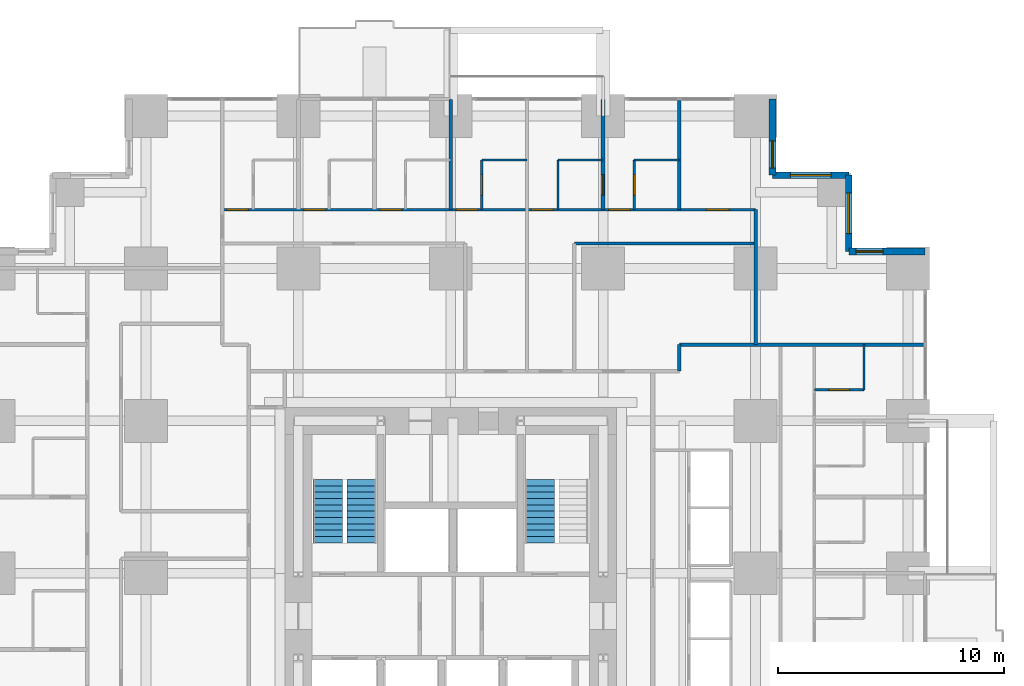
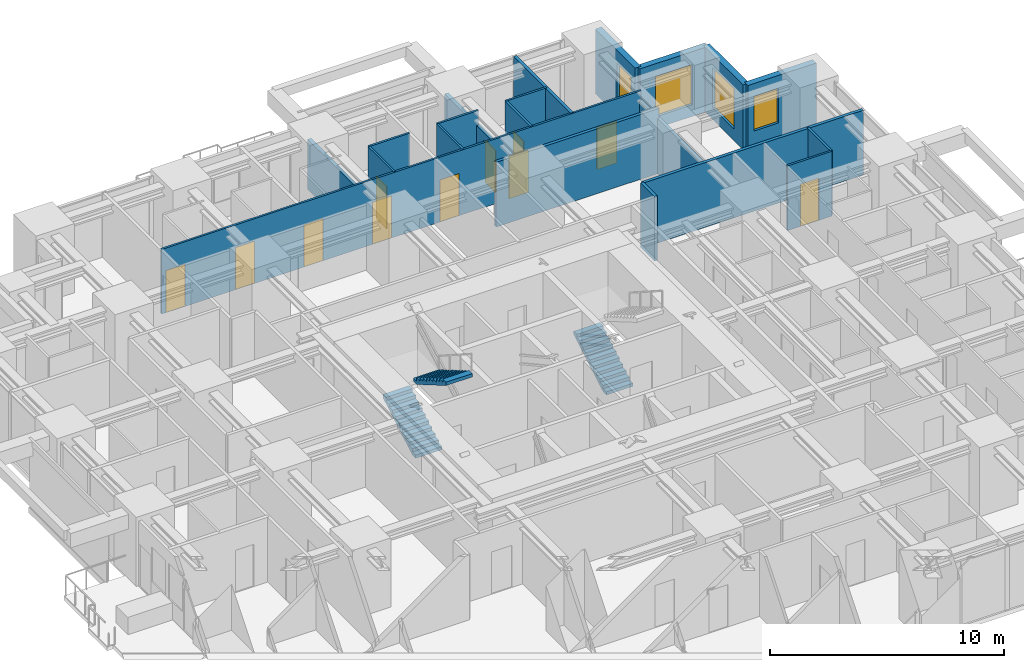
# One storey, part 13 of 15: 20 walls, 11 doors, 4 windows, 3 stair flights, 15 openings, 2 elements without a shape of their own.
"""IFC4 building model written with IfcOpenShell, lengths in metres."""

from ifc_helpers import new_model, si_unit, direction, frame, frame_2d, origin, place, context, subcontext, project, spatial, polyline, rectangle, outline, extrude, material, layer, layer_set, type_object, element, fill, aggregate, save


model = new_model("IFC4")

# Units and contexts
model_context = context("Model", 3, precision=1e-05, world=origin(), true_north=direction((0.0, 1.0)))
body_context = subcontext(model_context, "Body", "Model", "MODEL_VIEW")
ifc_project = project(units=[si_unit("LENGTHUNIT", "METRE"), si_unit("AREAUNIT", "SQUARE_METRE"), si_unit("VOLUMEUNIT", "CUBIC_METRE"), si_unit("PLANEANGLEUNIT", "RADIAN"), si_unit("MASSUNIT", "GRAM", prefix="KILO")], contexts=[model_context])

# Site, building, storey
site_placement = place(None, origin())
site = spatial("IfcSite", under=ifc_project, at=site_placement, CompositionType="ELEMENT")
building_placement = place(site_placement, origin())
building = spatial("IfcBuilding", under=site, at=building_placement, Name="Nyansa Garden Tower", CompositionType="ELEMENT")
storey_placement = place(building_placement, frame((0.0, 0.0, 25.199951171875)))
storey = spatial("IfcBuildingStorey", under=building, at=storey_placement, Name="L06", CompositionType="ELEMENT", Elevation=25.199951171875)

# Wall
ifc_material_1 = material(Name="Dense blockwork, plastered both sides, 55 dB", Category="masonry")
ifc_layer_1 = layer(ifc_material_1, 0.175048828125)
ifc_layer_set_1 = layer_set([ifc_layer_1], Name="Acoustic party wall PW175")
wall_type_1 = type_object("IfcWallType", Name="Acoustic party wall PW175", PredefinedType="PARTITIONING", material=ifc_layer_set_1)
wall_1_placement = place(storey_placement, frame((20.25, 36.35009765625, 0.0), z_axis=(0.0, 0.0, 1.0), x_axis=(0.0, 1.0, 0.0)))
element("IfcWall", 1, at=wall_1_placement, inside=storey, type_object=wall_type_1, Name="Party wall", PredefinedType="PARTITIONING", context=body_context, shape_type="SweptSolid", body=[
    extrude(rectangle(XDim=4.8837890625, YDim=0.175048828125, at=frame_2d((2.44189453125, 0.0))), origin(), (0.0, 0.0, 1.0), 2.610107421875),
])

# Wall, opening, door
wall_2_placement = place(storey_placement, frame((27.0, 36.35009765625, 0.0), z_axis=(0.0, 0.0, 1.0), x_axis=(0.0, 1.0, 0.0)))
wall_2 = element("IfcWall", 2, at=wall_2_placement, inside=storey, type_object=wall_type_1, Name="Party wall", PredefinedType="PARTITIONING", context=body_context, shape_type="SweptSolid", body=[
    extrude(rectangle(XDim=4.8837890625, YDim=0.175048828125, at=frame_2d((2.44189453125, 0.0))), origin(), (0.0, 0.0, 1.0), 2.610107421875),
])
opening_1_placement = place(wall_2_placement, frame((0.64990234375, 0.0, 0.0)))
opening_1 = element("IfcOpeningElement", 3, at=opening_1_placement, cuts=wall_2, Name="Opening D02", PredefinedType="OPENING", context=body_context, shape_type="SweptSolid", body=[
    extrude(rectangle(XDim=0.89990234375, YDim=2.199951171875, at=frame_2d((0.449951171875, 1.10009765625))), frame((0.0, 0.097412109375, 0.0), z_axis=(0.0, -1.0, 0.0), x_axis=(1.0, 0.0, 0.0)), (0.0, 0.0, 1.0), 0.195068359375),
])
ifc_material_2 = material(Name="Timber flush door", Category="wood")
door_type_1 = type_object("IfcDoorType", Name="En-suite door D02 900x2200", OperationType="SINGLE_SWING_RIGHT", PredefinedType="DOOR", material=ifc_material_2)
door_1_placement = place(opening_1_placement, origin())
door_1 = element("IfcDoor", 4, at=door_1_placement, inside=storey, type_object=door_type_1, Name="Door L06-053", OperationType="SINGLE_SWING_RIGHT", OverallHeight=2.199951171875, OverallWidth=0.89990234375, PredefinedType="DOOR", context=body_context, shape_type="SweptSolid", body=[
    extrude(rectangle(XDim=0.89990234375, YDim=2.199951171875, at=frame_2d((0.449951171875, 1.10009765625))), frame((0.0, 0.02490234375, 0.0), z_axis=(0.0, -1.0, 0.0), x_axis=(1.0, 0.0, 0.0)), (0.0, 0.0, 1.0), 0.050048828125),
])
fill(opening_1, door_1)

# Walls
ifc_material_3 = material(Name="Blockwork, plastered both sides", Category="masonry")
ifc_layer_2 = layer(ifc_material_3, 0.14990234375)
ifc_layer_set_2 = layer_set([ifc_layer_2], Name="Partition PW150")
wall_type_2 = type_object("IfcWallType", Name="Partition PW150", PredefinedType="PARTITIONING", material=ifc_layer_set_2)
wall_3_placement = place(storey_placement, frame((25.72509765625, 34.85009765625, 0.0), z_axis=(0.0, 0.0, 1.0), x_axis=(1.0, 0.0, 0.0)))
element("IfcWall", 5, at=wall_3_placement, inside=storey, type_object=wall_type_2, Name="Partition", PredefinedType="PARTITIONING", context=body_context, shape_type="SweptSolid", body=[
    extrude(rectangle(XDim=8.02490234375, YDim=0.14990234375, at=frame_2d((4.012451171875, 0.0))), origin(), (0.0, 0.0, 1.0), 3.375),
])
wall_4_placement = place(storey_placement, frame((30.375, 29.199951171875, 0.0), z_axis=(0.0, 0.0, 1.0), x_axis=(0.0, 1.0, 0.0)))
element("IfcWall", 6, at=wall_4_placement, inside=storey, type_object=wall_type_2, Name="Partition", PredefinedType="PARTITIONING", context=body_context, shape_type="SweptSolid", body=[
    extrude(rectangle(XDim=1.175048828125, YDim=0.14990234375, at=frame_2d((0.58740234375, 0.0))), origin(), (0.0, 0.0, 1.0), 3.375),
])
wall_5_placement = place(storey_placement, frame((30.375, 30.375, 0.0), z_axis=(0.0, 0.0, 1.0), x_axis=(1.0, 0.0, 0.0)))
element("IfcWall", 7, at=wall_5_placement, inside=storey, type_object=wall_type_2, Name="Partition", PredefinedType="PARTITIONING", context=body_context, shape_type="SweptSolid", body=[
    extrude(rectangle(XDim=10.85888671875, YDim=0.14990234375, at=frame_2d((5.429443359375, 0.0))), origin(), (0.0, 0.0, 1.0), 3.375),
])
wall_6_placement = place(storey_placement, frame((30.375, 36.35009765625, 0.0), z_axis=(0.0, 0.0, 1.0), x_axis=(0.0, 1.0, 0.0)))
element("IfcWall", 8, at=wall_6_placement, inside=storey, type_object=wall_type_2, Name="Partition", PredefinedType="PARTITIONING", context=body_context, shape_type="SweptSolid", body=[
    extrude(rectangle(XDim=4.8837890625, YDim=0.14990234375, at=frame_2d((2.44189453125, 0.0))), origin(), (0.0, 0.0, 1.0), 3.375),
])
wall_7_placement = place(storey_placement, frame((33.75, 30.375, 0.0), z_axis=(0.0, 0.0, 1.0), x_axis=(0.0, 1.0, 0.0)))
element("IfcWall", 9, at=wall_7_placement, inside=storey, type_object=wall_type_2, Name="Partition", PredefinedType="PARTITIONING", context=body_context, shape_type="SweptSolid", body=[
    extrude(rectangle(XDim=5.97509765625, YDim=0.14990234375, at=frame_2d((2.987548828125, 0.0))), origin(), (0.0, 0.0, 1.0), 2.876953125),
])

# Wall, opening, window
ifc_material_4 = material(Name="Turquoise glazed tile on concrete blockwork", Category="masonry")
ifc_layer_3 = layer(ifc_material_4, 0.300048828125)
ifc_layer_set_3 = layer_set([ifc_layer_3], Name="Tiled corner wall TW300")
wall_type_3 = type_object("IfcWallType", Name="Tiled corner wall TW300", PredefinedType="SOLIDWALL", material=ifc_layer_set_3)
wall_8_placement = place(storey_placement, frame((41.25, 34.5, 0.0), z_axis=(0.0, 0.0, 1.0), x_axis=(-1.0, 0.0, 0.0)))
wall_8 = element("IfcWall", 10, at=wall_8_placement, inside=storey, type_object=wall_type_3, Name="Tiled corner wall L06", PredefinedType="SOLIDWALL", context=body_context, shape_type="SweptSolid", body=[
    extrude(rectangle(XDim=3.375, YDim=0.300048828125, at=frame_2d((1.6875, 0.0))), origin(), (0.0, 0.0, 1.0), 3.375),
])
opening_2_placement = place(wall_8_placement, frame((1.857421875, 0.0, 0.89990234375)))
opening_2 = element("IfcOpeningElement", 11, at=opening_2_placement, cuts=wall_8, Name="Opening W4", PredefinedType="OPENING", context=body_context, shape_type="SweptSolid", body=[
    extrude(rectangle(XDim=1.199951171875, YDim=1.800048828125, at=frame_2d((0.60009765625, 0.89990234375))), frame((0.0, 0.159912109375, 0.0), z_axis=(0.0, -1.0, 0.0), x_axis=(1.0, 0.0, 0.0)), (0.0, 0.0, 1.0), 0.320068359375),
])
ifc_material_5 = material(Name="Black aluminium frame, dark tinted double glazing", Category="aluminium")
window_type_1 = type_object("IfcWindowType", Name="Window W4 1200x1800", PartitioningType="SINGLE_PANEL", PredefinedType="WINDOW", material=ifc_material_5)
window_1_placement = place(opening_2_placement, origin())
window_1 = element("IfcWindow", 12, at=window_1_placement, inside=storey, type_object=window_type_1, Name="Corner window L06", OverallHeight=1.800048828125, OverallWidth=1.199951171875, PartitioningType="SINGLE_PANEL", PredefinedType="WINDOW", context=body_context, shape_type="SweptSolid", body=[
    extrude(rectangle(XDim=1.199951171875, YDim=1.800048828125, at=frame_2d((0.60009765625, 0.89990234375))), frame((0.0, 0.030029296875, 0.0), z_axis=(0.0, -1.0, 0.0), x_axis=(1.0, 0.0, 0.0)), (0.0, 0.0, 1.0), 0.06005859375),
])
fill(opening_2, window_1)

wall_9_placement = place(storey_placement, frame((37.875, 34.5, 0.0), z_axis=(0.0, 0.0, 1.0), x_axis=(0.0, 1.0, 0.0)))
wall_9 = element("IfcWall", 13, at=wall_9_placement, inside=storey, type_object=wall_type_3, Name="Tiled corner wall L06", PredefinedType="SOLIDWALL", context=body_context, shape_type="SweptSolid", body=[
    extrude(rectangle(XDim=3.375, YDim=0.300048828125, at=frame_2d((1.6875, 0.0))), origin(), (0.0, 0.0, 1.0), 3.375),
])
opening_3_placement = place(wall_9_placement, frame((0.78759765625, 0.0, 0.60009765625)))
opening_3 = element("IfcOpeningElement", 14, at=opening_3_placement, cuts=wall_9, Name="Opening W2", PredefinedType="OPENING", context=body_context, shape_type="SweptSolid", body=[
    extrude(rectangle(XDim=1.800048828125, YDim=2.10009765625, at=frame_2d((0.89990234375, 1.050048828125))), frame((0.0, 0.159912109375, 0.0), z_axis=(0.0, -1.0, 0.0), x_axis=(1.0, 0.0, 0.0)), (0.0, 0.0, 1.0), 0.320068359375),
])
ifc_material_6 = material(Name="Black aluminium frame, dark tinted double glazing", Category="aluminium")
window_type_2 = type_object("IfcWindowType", Name="Window W2 1800x2100", PartitioningType="SINGLE_PANEL", PredefinedType="WINDOW", material=ifc_material_6)
window_2_placement = place(opening_3_placement, origin())
window_2 = element("IfcWindow", 15, at=window_2_placement, inside=storey, type_object=window_type_2, Name="Corner window L06", OverallHeight=2.10009765625, OverallWidth=1.800048828125, PartitioningType="SINGLE_PANEL", PredefinedType="WINDOW", context=body_context, shape_type="SweptSolid", body=[
    extrude(rectangle(XDim=1.800048828125, YDim=2.10009765625, at=frame_2d((0.89990234375, 1.050048828125))), frame((0.0, 0.030029296875, 0.0), z_axis=(0.0, -1.0, 0.0), x_axis=(1.0, 0.0, 0.0)), (0.0, 0.0, 1.0), 0.06005859375),
])
fill(opening_3, window_2)

wall_10_placement = place(storey_placement, frame((37.875, 37.875, 0.0), z_axis=(0.0, 0.0, 1.0), x_axis=(-1.0, 0.0, 0.0)))
wall_10 = element("IfcWall", 16, at=wall_10_placement, inside=storey, type_object=wall_type_3, Name="Tiled corner wall L06", PredefinedType="SOLIDWALL", context=body_context, shape_type="SweptSolid", body=[
    extrude(rectangle(XDim=3.375, YDim=0.300048828125, at=frame_2d((1.6875, 0.0))), origin(), (0.0, 0.0, 1.0), 3.375),
])
opening_4_placement = place(wall_10_placement, frame((0.78759765625, 0.0, 0.60009765625)))
opening_4 = element("IfcOpeningElement", 17, at=opening_4_placement, cuts=wall_10, Name="Opening W2", PredefinedType="OPENING", context=body_context, shape_type="SweptSolid", body=[
    extrude(rectangle(XDim=1.800048828125, YDim=2.10009765625, at=frame_2d((0.89990234375, 1.050048828125))), frame((0.0, 0.159912109375, 0.0), z_axis=(0.0, -1.0, 0.0), x_axis=(1.0, 0.0, 0.0)), (0.0, 0.0, 1.0), 0.320068359375),
])
window_3_placement = place(opening_4_placement, origin())
window_3 = element("IfcWindow", 18, at=window_3_placement, inside=storey, type_object=window_type_2, Name="Corner window L06", OverallHeight=2.10009765625, OverallWidth=1.800048828125, PartitioningType="SINGLE_PANEL", PredefinedType="WINDOW", context=body_context, shape_type="SweptSolid", body=[
    extrude(rectangle(XDim=1.800048828125, YDim=2.10009765625, at=frame_2d((0.89990234375, 1.050048828125))), frame((0.0, 0.030029296875, 0.0), z_axis=(0.0, -1.0, 0.0), x_axis=(1.0, 0.0, 0.0)), (0.0, 0.0, 1.0), 0.06005859375),
])
fill(opening_4, window_3)

wall_11_placement = place(storey_placement, frame((34.5, 37.875, 0.0), z_axis=(0.0, 0.0, 1.0), x_axis=(0.0, 1.0, 0.0)))
wall_11 = element("IfcWall", 19, at=wall_11_placement, inside=storey, type_object=wall_type_3, Name="Tiled corner wall L06", PredefinedType="SOLIDWALL", context=body_context, shape_type="SweptSolid", body=[
    extrude(rectangle(XDim=3.375, YDim=0.300048828125, at=frame_2d((1.6875, 0.0))), origin(), (0.0, 0.0, 1.0), 3.375),
])
opening_5_placement = place(wall_11_placement, frame((0.3173828125, 0.0, 0.89990234375)))
opening_5 = element("IfcOpeningElement", 20, at=opening_5_placement, cuts=wall_11, Name="Opening W4", PredefinedType="OPENING", context=body_context, shape_type="SweptSolid", body=[
    extrude(rectangle(XDim=1.199951171875, YDim=1.800048828125, at=frame_2d((0.60009765625, 0.89990234375))), frame((0.0, 0.159912109375, 0.0), z_axis=(0.0, -1.0, 0.0), x_axis=(1.0, 0.0, 0.0)), (0.0, 0.0, 1.0), 0.320068359375),
])
window_4_placement = place(opening_5_placement, origin())
window_4 = element("IfcWindow", 21, at=window_4_placement, inside=storey, type_object=window_type_1, Name="Corner window L06", OverallHeight=1.800048828125, OverallWidth=1.199951171875, PartitioningType="SINGLE_PANEL", PredefinedType="WINDOW", context=body_context, shape_type="SweptSolid", body=[
    extrude(rectangle(XDim=1.199951171875, YDim=1.800048828125, at=frame_2d((0.60009765625, 0.89990234375))), frame((0.0, 0.030029296875, 0.0), z_axis=(0.0, -1.0, 0.0), x_axis=(1.0, 0.0, 0.0)), (0.0, 0.0, 1.0), 0.06005859375),
])
fill(opening_5, window_4)

# Wall, openings, doors
ifc_material_7 = material(Name="Moisture resistant board on steel studs, tiled", Category="steel")
ifc_layer_4 = layer(ifc_material_7, 0.10009765625)
ifc_layer_set_4 = layer_set([ifc_layer_4], Name="Wet wall PW100")
wall_type_4 = type_object("IfcWallType", Name="Wet wall PW100", PredefinedType="PARTITIONING", material=ifc_layer_set_4)
wall_12_placement = place(storey_placement, frame((10.125, 36.35009765625, 0.0), z_axis=(0.0, 0.0, 1.0), x_axis=(1.0, 0.0, 0.0)))
wall_12 = element("IfcWall", 22, at=wall_12_placement, inside=storey, type_object=wall_type_4, Name="Wet wall", PredefinedType="PARTITIONING", context=body_context, shape_type="SweptSolid", body=[
    extrude(rectangle(XDim=23.625, YDim=0.10009765625, at=frame_2d((11.8125, 0.0))), origin(), (0.0, 0.0, 1.0), 3.375),
])
opening_6_placement = place(wall_12_placement, frame((21.449951171875, 0.0, 0.0)))
opening_6 = element("IfcOpeningElement", 23, at=opening_6_placement, cuts=wall_12, Name="Opening D03", PredefinedType="OPENING", context=body_context, shape_type="SweptSolid", body=[
    extrude(rectangle(XDim=1.0, YDim=2.199951171875, at=frame_2d((0.5, 1.10009765625))), frame((0.0, 0.06005859375, 0.0), z_axis=(0.0, -1.0, 0.0), x_axis=(1.0, 0.0, 0.0)), (0.0, 0.0, 1.0), 0.1201171875),
])
opening_7_placement = place(wall_12_placement, frame((17.125, 0.0, 0.0)))
opening_7 = element("IfcOpeningElement", 24, at=opening_7_placement, cuts=wall_12, Name="Opening D01", PredefinedType="OPENING", context=body_context, shape_type="SweptSolid", body=[
    extrude(rectangle(XDim=0.949951171875, YDim=2.199951171875, at=frame_2d((0.47509765625, 1.10009765625))), frame((0.0, 0.06005859375, 0.0), z_axis=(0.0, -1.0, 0.0), x_axis=(1.0, 0.0, 0.0)), (0.0, 0.0, 1.0), 0.1201171875),
])
opening_8_placement = place(wall_12_placement, frame((13.699951171875, 0.0, 0.0)))
opening_8 = element("IfcOpeningElement", 25, at=opening_8_placement, cuts=wall_12, Name="Opening D01", PredefinedType="OPENING", context=body_context, shape_type="SweptSolid", body=[
    extrude(rectangle(XDim=0.949951171875, YDim=2.199951171875, at=frame_2d((0.47509765625, 1.10009765625))), frame((0.0, 0.06005859375, 0.0), z_axis=(0.0, -1.0, 0.0), x_axis=(1.0, 0.0, 0.0)), (0.0, 0.0, 1.0), 0.1201171875),
])
opening_9_placement = place(wall_12_placement, frame((0.199951171875, 0.0, 0.0)))
opening_9 = element("IfcOpeningElement", 26, at=opening_9_placement, cuts=wall_12, Name="Opening D14", PredefinedType="OPENING", context=body_context, shape_type="SweptSolid", body=[
    extrude(rectangle(XDim=0.949951171875, YDim=2.199951171875, at=frame_2d((0.47509765625, 1.10009765625))), frame((0.0, 0.06005859375, 0.0), z_axis=(0.0, -1.0, 0.0), x_axis=(1.0, 0.0, 0.0)), (0.0, 0.0, 1.0), 0.1201171875),
])
opening_10_placement = place(wall_12_placement, frame((3.625, 0.0, 0.0)))
opening_10 = element("IfcOpeningElement", 27, at=opening_10_placement, cuts=wall_12, Name="Opening D14", PredefinedType="OPENING", context=body_context, shape_type="SweptSolid", body=[
    extrude(rectangle(XDim=0.949951171875, YDim=2.199951171875, at=frame_2d((0.47509765625, 1.10009765625))), frame((0.0, 0.06005859375, 0.0), z_axis=(0.0, -1.0, 0.0), x_axis=(1.0, 0.0, 0.0)), (0.0, 0.0, 1.0), 0.1201171875),
])
opening_11_placement = place(wall_12_placement, frame((7.0, 0.0, 0.0)))
opening_11 = element("IfcOpeningElement", 28, at=opening_11_placement, cuts=wall_12, Name="Opening D14", PredefinedType="OPENING", context=body_context, shape_type="SweptSolid", body=[
    extrude(rectangle(XDim=0.949951171875, YDim=2.199951171875, at=frame_2d((0.47509765625, 1.10009765625))), frame((0.0, 0.06005859375, 0.0), z_axis=(0.0, -1.0, 0.0), x_axis=(1.0, 0.0, 0.0)), (0.0, 0.0, 1.0), 0.1201171875),
])
opening_12_placement = place(wall_12_placement, frame((10.375, 0.0, 0.0)))
opening_12 = element("IfcOpeningElement", 29, at=opening_12_placement, cuts=wall_12, Name="Opening D14", PredefinedType="OPENING", context=body_context, shape_type="SweptSolid", body=[
    extrude(rectangle(XDim=0.949951171875, YDim=2.199951171875, at=frame_2d((0.47509765625, 1.10009765625))), frame((0.0, 0.06005859375, 0.0), z_axis=(0.0, -1.0, 0.0), x_axis=(1.0, 0.0, 0.0)), (0.0, 0.0, 1.0), 0.1201171875),
])
ifc_material_8 = material(Name="Timber flush door, 30 minute fire resisting", Category="wood")
door_type_2 = type_object("IfcDoorType", Name="Bedroom door D01 950x2200", OperationType="SINGLE_SWING_LEFT", PredefinedType="DOOR", material=ifc_material_8)
door_2_placement = place(opening_7_placement, origin())
door_2 = element("IfcDoor", 30, at=door_2_placement, inside=storey, type_object=door_type_2, Name="Door L06-050", OperationType="SINGLE_SWING_LEFT", OverallHeight=2.199951171875, OverallWidth=0.949951171875, PredefinedType="DOOR", context=body_context, shape_type="SweptSolid", body=[
    extrude(rectangle(XDim=0.949951171875, YDim=2.199951171875, at=frame_2d((0.47509765625, 1.10009765625))), frame((0.0, 0.02490234375, 0.0), z_axis=(0.0, -1.0, 0.0), x_axis=(1.0, 0.0, 0.0)), (0.0, 0.0, 1.0), 0.050048828125),
])
fill(opening_7, door_2)
door_3_placement = place(opening_8_placement, origin())
door_3 = element("IfcDoor", 31, at=door_3_placement, inside=storey, type_object=door_type_2, Name="Door L06-052", OperationType="SINGLE_SWING_LEFT", OverallHeight=2.199951171875, OverallWidth=0.949951171875, PredefinedType="DOOR", context=body_context, shape_type="SweptSolid", body=[
    extrude(rectangle(XDim=0.949951171875, YDim=2.199951171875, at=frame_2d((0.47509765625, 1.10009765625))), frame((0.0, 0.02490234375, 0.0), z_axis=(0.0, -1.0, 0.0), x_axis=(1.0, 0.0, 0.0)), (0.0, 0.0, 1.0), 0.050048828125),
])
fill(opening_8, door_3)
ifc_material_9 = material(Name="Timber flush door, 60 minute fire resisting", Category="wood")
door_type_3 = type_object("IfcDoorType", Name="Cluster entrance door D03 1000x2200", OperationType="SINGLE_SWING_LEFT", PredefinedType="DOOR", material=ifc_material_9)
door_4_placement = place(opening_6_placement, origin())
door_4 = element("IfcDoor", 32, at=door_4_placement, inside=storey, type_object=door_type_3, Name="Door L06-049", OperationType="SINGLE_SWING_LEFT", OverallHeight=2.199951171875, OverallWidth=1.0, PredefinedType="DOOR", context=body_context, shape_type="SweptSolid", body=[
    extrude(rectangle(XDim=1.0, YDim=2.199951171875, at=frame_2d((0.5, 1.10009765625))), frame((0.0, 0.02490234375, 0.0), z_axis=(0.0, -1.0, 0.0), x_axis=(1.0, 0.0, 0.0)), (0.0, 0.0, 1.0), 0.050048828125),
])
fill(opening_6, door_4)
ifc_material_10 = material(Name="Timber flush door, 60 minute fire resisting, self-closing", Category="wood")
door_type_4 = type_object("IfcDoorType", Name="Studio entrance door D14 950x2200", OperationType="SINGLE_SWING_LEFT", PredefinedType="DOOR", material=ifc_material_10)
door_5_placement = place(opening_9_placement, origin())
door_5 = element("IfcDoor", 33, at=door_5_placement, inside=storey, type_object=door_type_4, Name="Door L06-055", OperationType="SINGLE_SWING_LEFT", OverallHeight=2.199951171875, OverallWidth=0.949951171875, PredefinedType="DOOR", context=body_context, shape_type="SweptSolid", body=[
    extrude(rectangle(XDim=0.949951171875, YDim=2.199951171875, at=frame_2d((0.47509765625, 1.10009765625))), frame((0.0, 0.02490234375, 0.0), z_axis=(0.0, -1.0, 0.0), x_axis=(1.0, 0.0, 0.0)), (0.0, 0.0, 1.0), 0.050048828125),
])
fill(opening_9, door_5)
door_6_placement = place(opening_10_placement, origin())
door_6 = element("IfcDoor", 34, at=door_6_placement, inside=storey, type_object=door_type_4, Name="Door L06-057", OperationType="SINGLE_SWING_LEFT", OverallHeight=2.199951171875, OverallWidth=0.949951171875, PredefinedType="DOOR", context=body_context, shape_type="SweptSolid", body=[
    extrude(rectangle(XDim=0.949951171875, YDim=2.199951171875, at=frame_2d((0.47509765625, 1.10009765625))), frame((0.0, 0.02490234375, 0.0), z_axis=(0.0, -1.0, 0.0), x_axis=(1.0, 0.0, 0.0)), (0.0, 0.0, 1.0), 0.050048828125),
])
fill(opening_10, door_6)
door_7_placement = place(opening_11_placement, origin())
door_7 = element("IfcDoor", 35, at=door_7_placement, inside=storey, type_object=door_type_4, Name="Door L06-059", OperationType="SINGLE_SWING_LEFT", OverallHeight=2.199951171875, OverallWidth=0.949951171875, PredefinedType="DOOR", context=body_context, shape_type="SweptSolid", body=[
    extrude(rectangle(XDim=0.949951171875, YDim=2.199951171875, at=frame_2d((0.47509765625, 1.10009765625))), frame((0.0, 0.02490234375, 0.0), z_axis=(0.0, -1.0, 0.0), x_axis=(1.0, 0.0, 0.0)), (0.0, 0.0, 1.0), 0.050048828125),
])
fill(opening_11, door_7)
door_8_placement = place(opening_12_placement, origin())
door_8 = element("IfcDoor", 36, at=door_8_placement, inside=storey, type_object=door_type_4, Name="Door L06-061", OperationType="SINGLE_SWING_LEFT", OverallHeight=2.199951171875, OverallWidth=0.949951171875, PredefinedType="DOOR", context=body_context, shape_type="SweptSolid", body=[
    extrude(rectangle(XDim=0.949951171875, YDim=2.199951171875, at=frame_2d((0.47509765625, 1.10009765625))), frame((0.0, 0.02490234375, 0.0), z_axis=(0.0, -1.0, 0.0), x_axis=(1.0, 0.0, 0.0)), (0.0, 0.0, 1.0), 0.050048828125),
])
fill(opening_12, door_8)

# Wall, opening, door
wall_13_placement = place(storey_placement, frame((21.625, 36.35009765625, 0.0), z_axis=(0.0, 0.0, 1.0), x_axis=(0.0, 1.0, 0.0)))
wall_13 = element("IfcWall", 37, at=wall_13_placement, inside=storey, type_object=wall_type_4, Name="Wet wall", PredefinedType="PARTITIONING", context=body_context, shape_type="SweptSolid", body=[
    extrude(rectangle(XDim=2.199951171875, YDim=0.10009765625, at=frame_2d((1.10009765625, 0.0))), origin(), (0.0, 0.0, 1.0), 3.375),
])
opening_13_placement = place(wall_13_placement, frame((0.64990234375, 0.0, 0.0)))
opening_13 = element("IfcOpeningElement", 38, at=opening_13_placement, cuts=wall_13, Name="Opening D02", PredefinedType="OPENING", context=body_context, shape_type="SweptSolid", body=[
    extrude(rectangle(XDim=0.89990234375, YDim=2.199951171875, at=frame_2d((0.449951171875, 1.10009765625))), frame((0.0, 0.06005859375, 0.0), z_axis=(0.0, -1.0, 0.0), x_axis=(1.0, 0.0, 0.0)), (0.0, 0.0, 1.0), 0.1201171875),
])
door_9_placement = place(opening_13_placement, origin())
door_9 = element("IfcDoor", 39, at=door_9_placement, inside=storey, type_object=door_type_1, Name="Door L06-062", OperationType="SINGLE_SWING_RIGHT", OverallHeight=2.199951171875, OverallWidth=0.89990234375, PredefinedType="DOOR", context=body_context, shape_type="SweptSolid", body=[
    extrude(rectangle(XDim=0.89990234375, YDim=2.199951171875, at=frame_2d((0.449951171875, 1.10009765625))), frame((0.0, 0.02490234375, 0.0), z_axis=(0.0, -1.0, 0.0), x_axis=(1.0, 0.0, 0.0)), (0.0, 0.0, 1.0), 0.050048828125),
])
fill(opening_13, door_9)

# Walls
wall_14_placement = place(storey_placement, frame((21.625, 38.550048828125, 0.0), z_axis=(0.0, 0.0, 1.0), x_axis=(1.0, 0.0, 0.0)))
element("IfcWall", 40, at=wall_14_placement, inside=storey, type_object=wall_type_4, Name="Wet wall", PredefinedType="PARTITIONING", context=body_context, shape_type="SweptSolid", body=[
    extrude(rectangle(XDim=2.0, YDim=0.10009765625, at=frame_2d((1.0, 0.0))), origin(), (0.0, 0.0, 1.0), 3.375),
])
wall_15_placement = place(storey_placement, frame((25.0, 36.35009765625, 0.0), z_axis=(0.0, 0.0, 1.0), x_axis=(0.0, 1.0, 0.0)))
element("IfcWall", 41, at=wall_15_placement, inside=storey, type_object=wall_type_4, Name="Wet wall", PredefinedType="PARTITIONING", context=body_context, shape_type="SweptSolid", body=[
    extrude(rectangle(XDim=2.199951171875, YDim=0.10009765625, at=frame_2d((1.10009765625, 0.0))), origin(), (0.0, 0.0, 1.0), 3.375),
])
wall_16_placement = place(storey_placement, frame((25.0, 38.550048828125, 0.0), z_axis=(0.0, 0.0, 1.0), x_axis=(1.0, 0.0, 0.0)))
element("IfcWall", 42, at=wall_16_placement, inside=storey, type_object=wall_type_4, Name="Wet wall", PredefinedType="PARTITIONING", context=body_context, shape_type="SweptSolid", body=[
    extrude(rectangle(XDim=2.0, YDim=0.10009765625, at=frame_2d((1.0, 0.0))), origin(), (0.0, 0.0, 1.0), 3.375),
])

# Wall, opening, door
wall_17_placement = place(storey_placement, frame((28.375, 36.35009765625, 0.0), z_axis=(0.0, 0.0, 1.0), x_axis=(0.0, 1.0, 0.0)))
wall_17 = element("IfcWall", 43, at=wall_17_placement, inside=storey, type_object=wall_type_4, Name="Wet wall", PredefinedType="PARTITIONING", context=body_context, shape_type="SweptSolid", body=[
    extrude(rectangle(XDim=2.199951171875, YDim=0.10009765625, at=frame_2d((1.10009765625, 0.0))), origin(), (0.0, 0.0, 1.0), 3.375),
])
opening_14_placement = place(wall_17_placement, frame((0.64990234375, 0.0, 0.0)))
opening_14 = element("IfcOpeningElement", 44, at=opening_14_placement, cuts=wall_17, Name="Opening D02", PredefinedType="OPENING", context=body_context, shape_type="SweptSolid", body=[
    extrude(rectangle(XDim=0.89990234375, YDim=2.199951171875, at=frame_2d((0.449951171875, 1.10009765625))), frame((0.0, 0.06005859375, 0.0), z_axis=(0.0, -1.0, 0.0), x_axis=(1.0, 0.0, 0.0)), (0.0, 0.0, 1.0), 0.1201171875),
])
door_10_placement = place(opening_14_placement, origin())
door_10 = element("IfcDoor", 45, at=door_10_placement, inside=storey, type_object=door_type_1, Name="Door L06-051", OperationType="SINGLE_SWING_RIGHT", OverallHeight=2.199951171875, OverallWidth=0.89990234375, PredefinedType="DOOR", context=body_context, shape_type="SweptSolid", body=[
    extrude(rectangle(XDim=0.89990234375, YDim=2.199951171875, at=frame_2d((0.449951171875, 1.10009765625))), frame((0.0, 0.02490234375, 0.0), z_axis=(0.0, -1.0, 0.0), x_axis=(1.0, 0.0, 0.0)), (0.0, 0.0, 1.0), 0.050048828125),
])
fill(opening_14, door_10)

# Wall
wall_18_placement = place(storey_placement, frame((28.375, 38.550048828125, 0.0), z_axis=(0.0, 0.0, 1.0), x_axis=(1.0, 0.0, 0.0)))
element("IfcWall", 46, at=wall_18_placement, inside=storey, type_object=wall_type_4, Name="Wet wall", PredefinedType="PARTITIONING", context=body_context, shape_type="SweptSolid", body=[
    extrude(rectangle(XDim=2.0, YDim=0.10009765625, at=frame_2d((1.0, 0.0))), origin(), (0.0, 0.0, 1.0), 3.375),
])

# Wall, opening, door
wall_19_placement = place(storey_placement, frame((36.35009765625, 28.375, 0.0), z_axis=(0.0, 0.0, 1.0), x_axis=(1.0, 0.0, 0.0)))
wall_19 = element("IfcWall", 47, at=wall_19_placement, inside=storey, type_object=wall_type_4, Name="Wet wall", PredefinedType="PARTITIONING", context=body_context, shape_type="SweptSolid", body=[
    extrude(rectangle(XDim=2.199951171875, YDim=0.10009765625, at=frame_2d((1.10009765625, 0.0))), origin(), (0.0, 0.0, 1.0), 3.375),
])
opening_15_placement = place(wall_19_placement, frame((0.64990234375, 0.0, 0.0)))
opening_15 = element("IfcOpeningElement", 48, at=opening_15_placement, cuts=wall_19, Name="Opening D02", PredefinedType="OPENING", context=body_context, shape_type="SweptSolid", body=[
    extrude(rectangle(XDim=0.89990234375, YDim=2.199951171875, at=frame_2d((0.449951171875, 1.10009765625))), frame((0.0, 0.06005859375, 0.0), z_axis=(0.0, -1.0, 0.0), x_axis=(1.0, 0.0, 0.0)), (0.0, 0.0, 1.0), 0.1201171875),
])
door_11_placement = place(opening_15_placement, origin())
door_11 = element("IfcDoor", 49, at=door_11_placement, inside=storey, type_object=door_type_1, Name="Door L06-045", OperationType="SINGLE_SWING_RIGHT", OverallHeight=2.199951171875, OverallWidth=0.89990234375, PredefinedType="DOOR", context=body_context, shape_type="SweptSolid", body=[
    extrude(rectangle(XDim=0.89990234375, YDim=2.199951171875, at=frame_2d((0.449951171875, 1.10009765625))), frame((0.0, 0.02490234375, 0.0), z_axis=(0.0, -1.0, 0.0), x_axis=(1.0, 0.0, 0.0)), (0.0, 0.0, 1.0), 0.050048828125),
])
fill(opening_15, door_11)

# Wall
wall_20_placement = place(storey_placement, frame((38.550048828125, 28.375, 0.0), z_axis=(0.0, 0.0, 1.0), x_axis=(0.0, 1.0, 0.0)))
element("IfcWall", 50, at=wall_20_placement, inside=storey, type_object=wall_type_4, Name="Wet wall", PredefinedType="PARTITIONING", context=body_context, shape_type="SweptSolid", body=[
    extrude(rectangle(XDim=2.0, YDim=0.10009765625, at=frame_2d((1.0, 0.0))), origin(), (0.0, 0.0, 1.0), 3.375),
])

# Stair, stair flights
ifc_material_11 = material(Name="Precast concrete C40/50", Category="concrete")
stair_type_1 = type_object("IfcStairType", Name="Stair S1 164x280", PredefinedType="HALF_TURN_STAIR", material=ifc_material_11)
stair_1_placement = place(storey_placement, origin())
stair_1 = element("IfcStair", 51, at=stair_1_placement, inside=storey, type_object=stair_type_1, Name="Stair S1 L06", PredefinedType="HALF_TURN_STAIR")
ifc_material_12 = material(Name="Precast concrete C40/50", Category="concrete")
stair_flight_type_1 = type_object("IfcStairFlightType", Name="Stair flight S1 164x280x11", PredefinedType="STRAIGHT", material=ifc_material_12)
stair_flight_1_placement = place(storey_placement, frame((14.800048828125, 21.60009765625, 0.0), z_axis=(0.0, 0.0, 1.0), x_axis=(0.0, 1.0, 0.0)))
stair_flight_1 = element("IfcStairFlight", 52, at=stair_flight_1_placement, type_object=stair_flight_type_1, Name="S1 flight 1", NumberOfRisers=11, NumberOfTreads=10, PredefinedType="STRAIGHT", RiserHeight=0.163636364, TreadLength=0.28, context=body_context, shape_type="SweptSolid", body=[
    extrude(outline(polyline([(0.0, 0.0), (0.0, 0.16357421875), (0.280029296875, 0.16357421875), (0.280029296875, 0.327392578125), (0.56005859375, 0.327392578125), (0.56005859375, 0.490966796875), (0.840087890625, 0.490966796875), (0.840087890625, 0.654541015625), (1.1201171875, 0.654541015625), (1.1201171875, 0.818115234375), (1.39990234375, 0.818115234375), (1.39990234375, 0.98193359375), (1.679931640625, 0.98193359375), (1.679931640625, 1.1455078125), (1.9599609375, 1.1455078125), (1.9599609375, 1.30908203125), (2.239990234375, 1.30908203125), (2.239990234375, 1.47265625), (2.52001953125, 1.47265625), (2.52001953125, 1.636474609375), (2.800048828125, 1.636474609375), (2.800048828125, 1.800048828125), (2.800048828125, 1.462646484375), (0.297119140625, 0.0), (0.0, 0.0)])), frame((0.0, 0.64990234375, 0.0), z_axis=(0.0, -1.0, 0.0), x_axis=(1.0, 0.0, 0.0)), (0.0, 0.0, 1.0), 1.300048828125),
])
stair_flight_2_placement = place(storey_placement, frame((16.300048828125, 24.39990234375, 1.800048828125), z_axis=(0.0, 0.0, 1.0), x_axis=(0.0, -1.0, 0.0)))
stair_flight_2 = element("IfcStairFlight", 53, at=stair_flight_2_placement, type_object=stair_flight_type_1, Name="S1 flight 2", NumberOfRisers=11, NumberOfTreads=10, PredefinedType="STRAIGHT", RiserHeight=0.163636364, TreadLength=0.28, context=body_context, shape_type="SweptSolid", body=[
    extrude(outline(polyline([(0.0, 0.0), (0.0, 0.16357421875), (0.280029296875, 0.16357421875), (0.280029296875, 0.327392578125), (0.56005859375, 0.327392578125), (0.56005859375, 0.490966796875), (0.840087890625, 0.490966796875), (0.840087890625, 0.654541015625), (1.1201171875, 0.654541015625), (1.1201171875, 0.818115234375), (1.39990234375, 0.818115234375), (1.39990234375, 0.98193359375), (1.679931640625, 0.98193359375), (1.679931640625, 1.1455078125), (1.9599609375, 1.1455078125), (1.9599609375, 1.30908203125), (2.239990234375, 1.30908203125), (2.239990234375, 1.47265625), (2.52001953125, 1.47265625), (2.52001953125, 1.636474609375), (2.800048828125, 1.636474609375), (2.800048828125, 1.800048828125), (2.800048828125, 1.462646484375), (0.297119140625, 0.0), (0.0, 0.0)])), frame((0.0, 0.64990234375, 0.0), z_axis=(0.0, -1.0, 0.0), x_axis=(1.0, 0.0, 0.0)), (0.0, 0.0, 1.0), 1.300048828125),
])
aggregate(stair_1, [stair_flight_1, stair_flight_2])

# Stair, stair flight
ifc_material_13 = material(Name="Precast concrete C40/50", Category="concrete")
stair_type_2 = type_object("IfcStairType", Name="Stair S2 164x280", PredefinedType="HALF_TURN_STAIR", material=ifc_material_13)
stair_2_placement = place(storey_placement, origin())
stair_2 = element("IfcStair", 54, at=stair_2_placement, inside=storey, type_object=stair_type_2, Name="Stair S2 L06", PredefinedType="HALF_TURN_STAIR")
ifc_material_14 = material(Name="Precast concrete C40/50", Category="concrete")
stair_flight_type_2 = type_object("IfcStairFlightType", Name="Stair flight S2 164x280x11", PredefinedType="STRAIGHT", material=ifc_material_14)
stair_flight_3_placement = place(storey_placement, frame((24.199951171875, 21.60009765625, 0.0), z_axis=(0.0, 0.0, 1.0), x_axis=(0.0, 1.0, 0.0)))
stair_flight_3 = element("IfcStairFlight", 55, at=stair_flight_3_placement, type_object=stair_flight_type_2, Name="S2 flight 1", NumberOfRisers=11, NumberOfTreads=10, PredefinedType="STRAIGHT", RiserHeight=0.163636364, TreadLength=0.28, context=body_context, shape_type="SweptSolid", body=[
    extrude(outline(polyline([(0.0, 0.0), (0.0, 0.16357421875), (0.280029296875, 0.16357421875), (0.280029296875, 0.327392578125), (0.56005859375, 0.327392578125), (0.56005859375, 0.490966796875), (0.840087890625, 0.490966796875), (0.840087890625, 0.654541015625), (1.1201171875, 0.654541015625), (1.1201171875, 0.818115234375), (1.39990234375, 0.818115234375), (1.39990234375, 0.98193359375), (1.679931640625, 0.98193359375), (1.679931640625, 1.1455078125), (1.9599609375, 1.1455078125), (1.9599609375, 1.30908203125), (2.239990234375, 1.30908203125), (2.239990234375, 1.47265625), (2.52001953125, 1.47265625), (2.52001953125, 1.636474609375), (2.800048828125, 1.636474609375), (2.800048828125, 1.800048828125), (2.800048828125, 1.462646484375), (0.297119140625, 0.0), (0.0, 0.0)])), frame((0.0, 0.64990234375, 0.0), z_axis=(0.0, -1.0, 0.0), x_axis=(1.0, 0.0, 0.0)), (0.0, 0.0, 1.0), 1.300048828125),
])
aggregate(stair_2, [stair_flight_3])

save(model, "model.ifc")
